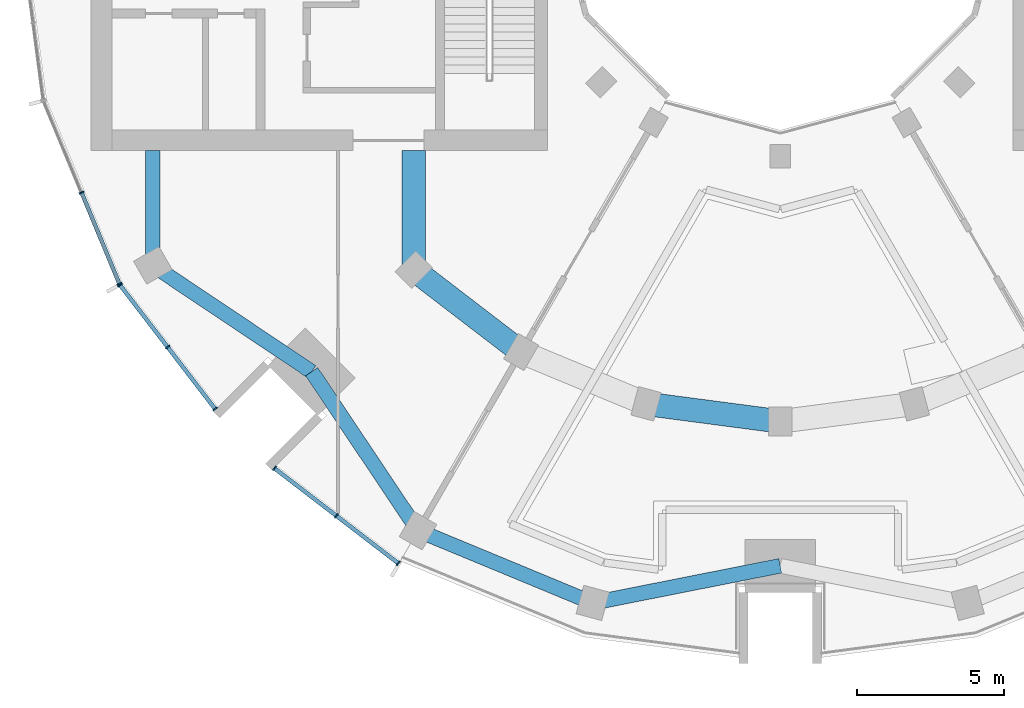
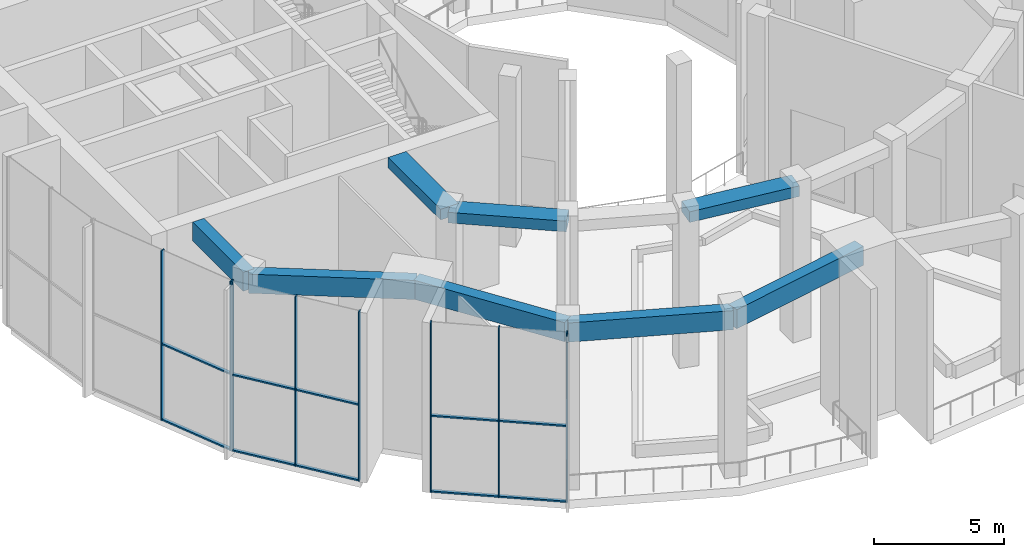
# One storey, part 2 of 18: 18 members, 8 beams, 3 elements without a shape of their own.
"""IFC4 building model written with IfcOpenShell, lengths in metres."""

import ifcopenshell
import ifcopenshell.guid

model = None  # the IFC model being written
_history = None  # IfcOwnerHistory: only IFC2X3 demands one
_inside = {}  # id of a spatial element -> (the spatial element, [elements in it])
_under = {}  # id of a project, library or spatial element -> (it, [spatial elements below it])
_declared = {}  # id of a project -> (the project, [libraries it declares])
_typed = {}  # id of a type object -> (the type object, [elements of that type])
_made_of = {}  # id of a material, layer set ... -> (it, [elements and type objects made of it])


def new_model(schema):
    """Start an empty IFC model of exactly this schema.

    Asked for "IFC4X3", IfcOpenShell would pick the latest addendum, in which some entities
    have other attributes; the version numbers below select the first issue.
    IFC2X3 requires an IfcOwnerHistory on every rooted entity: one is made here for all.
    """
    global model, _history
    if schema == "IFC4X3":
        model = ifcopenshell.file(schema_version=(4, 3, 0, 0))
    else:
        model = ifcopenshell.file(schema=schema)
    _inside.clear()
    _under.clear()
    _declared.clear()
    _typed.clear()
    _made_of.clear()
    _history = None
    if model.schema == "IFC2X3":
        org = make("IfcOrganization", Name="unknown")
        user = make(
            "IfcPersonAndOrganization",
            ThePerson=make("IfcPerson", FamilyName="unknown"),
            TheOrganization=org,
        )
        app = make(
            "IfcApplication",
            ApplicationDeveloper=org,
            Version="unknown",
            ApplicationFullName="unknown",
            ApplicationIdentifier="unknown",
        )
        _history = make(
            "IfcOwnerHistory",
            OwningUser=user,
            OwningApplication=app,
            ChangeAction="ADDED",
            CreationDate=0,
        )
    return model


def make(cls, **values):
    """One entity of the class cls with the attributes given. An attribute that is None is left unset."""
    return model.create_entity(
        cls, **{name: value for name, value in values.items() if value is not None}
    )


def rooted(cls, **values):
    """An entity with a GlobalId (a new one), such as an element, a storey or a relation."""
    return make(cls, GlobalId=ifcopenshell.guid.new(), OwnerHistory=_history, **values)


def si_unit(unit_type, name, prefix=None):
    """IfcSIUnit, for example si_unit("LENGTHUNIT", "METRE", prefix="MILLI")."""
    return make("IfcSIUnit", UnitType=unit_type, Prefix=prefix, Name=name)


def assignment(units):
    """IfcUnitAssignment: the units of a project."""
    return None if units is None else make("IfcUnitAssignment", Units=units)


def point(xyz):
    """IfcCartesianPoint."""
    return None if xyz is None else make("IfcCartesianPoint", Coordinates=xyz)


def direction(xyz):
    """IfcDirection."""
    return None if xyz is None else make("IfcDirection", DirectionRatios=xyz)


def frame(location, z_axis=None, x_axis=None):
    """IfcAxis2Placement3D, a coordinate frame: its origin and axes. An axis left out is left unset."""
    return make(
        "IfcAxis2Placement3D",
        Location=point(location),
        Axis=direction(z_axis),
        RefDirection=direction(x_axis),
    )


def frame_2d(location, x_axis=None):
    """IfcAxis2Placement2D, a coordinate frame in the plane: its origin and x axis."""
    return make(
        "IfcAxis2Placement2D", Location=point(location), RefDirection=direction(x_axis)
    )


def origin():
    """The frame at (0, 0, 0) with its axes left unset."""
    return frame((0.0, 0.0, 0.0))


def origin_2d():
    """The frame at (0, 0) in the plane with its x axis left unset."""
    return frame_2d((0.0, 0.0))


def place(relative_to, where):
    """IfcLocalPlacement: puts the frame where relative to a parent placement (None: the world)."""
    return make(
        "IfcLocalPlacement", PlacementRelTo=relative_to, RelativePlacement=where
    )


def context(
    kind, dimensions, precision=None, world=None, true_north=None, identifier=None
):
    """IfcGeometricRepresentationContext, for example the 3D "Model" context."""
    return make(
        "IfcGeometricRepresentationContext",
        ContextIdentifier=identifier,
        ContextType=kind,
        CoordinateSpaceDimension=dimensions,
        Precision=precision,
        WorldCoordinateSystem=world,
        TrueNorth=true_north,
    )


def subcontext(parent, identifier, kind, view, scale=None):
    """IfcGeometricRepresentationSubContext, for example "Body" below "Model"."""
    return make(
        "IfcGeometricRepresentationSubContext",
        ContextIdentifier=identifier,
        ContextType=kind,
        ParentContext=parent,
        TargetScale=scale,
        TargetView=view,
    )


def project(units=None, contexts=None):
    """IfcProject with its units and contexts."""
    return rooted(
        "IfcProject",
        Name="project",
        RepresentationContexts=contexts,
        UnitsInContext=assignment(units),
    )


def spatial(cls, under=None, at=None, **own):
    """A site, building, storey or space (cls), placed at a placement, below another one or the project."""
    s = rooted(cls, ObjectPlacement=at, **own)
    if under is not None:
        _under.setdefault(under.id(), (under, []))[1].append(s)
    return s


def profile(cls, at=None, kind="AREA", **sizes):
    """A parametric profile (cls). Its sizes go by their IFC names, for example OverallWidth=200.0."""
    return make(cls, ProfileType=kind, Position=at, **sizes)


def rectangle(**sizes):
    """IfcRectangleProfileDef."""
    return profile("IfcRectangleProfileDef", **sizes)


def extrude(swept, where, along, depth):
    """IfcExtrudedAreaSolid: the profile swept, set in the frame where, extruded along a direction by depth."""
    return make(
        "IfcExtrudedAreaSolid",
        SweptArea=swept,
        Position=where,
        ExtrudedDirection=direction(along),
        Depth=depth,
    )


def shape(context_of_items, identifier, shape_type, items):
    """IfcShapeRepresentation: the items that make up one representation, for example the "Body"."""
    return make(
        "IfcShapeRepresentation",
        ContextOfItems=context_of_items,
        RepresentationIdentifier=identifier,
        RepresentationType=shape_type,
        Items=items,
    )


def material(Name=None, Category=None):
    """IfcMaterial."""
    return make("IfcMaterial", Name=Name, Category=Category)


def layer(
    of_material, thickness, ventilated=None, Name=None, Category=None, Priority=None
):
    """IfcMaterialLayer: one layer of a wall or slab, of a material (None: an air gap)."""
    return make(
        "IfcMaterialLayer",
        Material=of_material,
        LayerThickness=thickness,
        IsVentilated=ventilated,
        Name=Name,
        Category=Category,
        Priority=Priority,
    )


def layer_set(layers, Name=None):
    """IfcMaterialLayerSet."""
    return make("IfcMaterialLayerSet", MaterialLayers=layers, LayerSetName=Name)


def material_profile(
    of_material, cross_section, Name=None, Category=None, Priority=None
):
    """IfcMaterialProfile: a cross section and its material."""
    return make(
        "IfcMaterialProfile",
        Name=Name,
        Material=of_material,
        Profile=cross_section,
        Priority=Priority,
        Category=Category,
    )


def profile_set(profiles, Name=None, composite=None):
    """IfcMaterialProfileSet."""
    return make(
        "IfcMaterialProfileSet",
        Name=Name,
        MaterialProfiles=profiles,
        CompositeProfile=composite,
    )


def made_of(thing, what):
    """Note that an element or type object is made of a material, layer set ...; save() writes the relation."""
    if what is not None:
        _made_of.setdefault(what.id(), (what, []))[1].append(thing)
    return thing


def type_object(cls, material=None, **own):
    """A type object (cls), such as IfcWallType, which elements share."""
    return made_of(rooted(cls, **own), material)


def element(
    cls,
    number,
    at=None,
    inside=None,
    cuts=None,
    type_object=None,
    material=None,
    context=None,
    identifier="Body",
    shape_type=None,
    held_by="IfcProductDefinitionShape",
    body=None,
    shapes=None,
    **own,
):
    """One element of the class cls, such as IfcWall. Its Tag is "e" and its number.

    at: its placement. inside: the storey or other place that contains it. cuts: it is an
    opening in that element (IfcRelVoidsElement). A single representation is given by context,
    identifier, shape_type and body (its items); several are given by shapes. held_by: the class
    of the entity that holds the representations. save() writes the other relations.
    """
    e = rooted(cls, Tag="e%d" % number, ObjectPlacement=at, **own)
    if body is not None:
        shapes = [shape(context, identifier, shape_type, body)]
    if shapes is not None:
        e.Representation = make(held_by, Representations=shapes)
    if inside is not None:
        _inside.setdefault(inside.id(), (inside, []))[1].append(e)
    if cuts is not None:
        rooted(
            "IfcRelVoidsElement", RelatingBuildingElement=cuts, RelatedOpeningElement=e
        )
    if type_object is not None:
        _typed.setdefault(type_object.id(), (type_object, []))[1].append(e)
    return made_of(e, material)


def aggregate(whole, parts):
    """IfcRelAggregates: a whole, such as a stair, and the parts it consists of."""
    return rooted("IfcRelAggregates", RelatingObject=whole, RelatedObjects=parts)


def save(model, path):
    """Write the relations noted so far, then the file.

    IfcRelAggregates (storeys below a building ...), IfcRelContainedInSpatialStructure (elements
    in a storey), IfcRelDefinesByType, IfcRelAssociatesMaterial and IfcRelDeclares: one each for
    every whole, place, type object, material and project.
    """
    for whole, parts in _under.values():
        aggregate(whole, parts)
    for where, things in _inside.values():
        rooted(
            "IfcRelContainedInSpatialStructure",
            RelatedElements=things,
            RelatingStructure=where,
        )
    for kind, things in _typed.values():
        rooted("IfcRelDefinesByType", RelatedObjects=things, RelatingType=kind)
    for what, things in _made_of.values():
        rooted("IfcRelAssociatesMaterial", RelatedObjects=things, RelatingMaterial=what)
    for by, libraries in _declared.values():
        rooted("IfcRelDeclares", RelatingContext=by, RelatedDefinitions=libraries)
    model.write(path)


model = new_model("IFC4")

# Units and contexts
model_context = context("Model", 3, precision=1e-05, world=origin(), true_north=direction((0.0, 1.0)))
body_context = subcontext(model_context, "Body", "Model", "MODEL_VIEW")
ifc_project = project(units=[si_unit("LENGTHUNIT", "METRE"), si_unit("AREAUNIT", "SQUARE_METRE"), si_unit("VOLUMEUNIT", "CUBIC_METRE"), si_unit("PLANEANGLEUNIT", "RADIAN"), si_unit("MASSUNIT", "GRAM", prefix="KILO")], contexts=[model_context])

# Site, building, storey
site_placement = place(None, origin())
site = spatial("IfcSite", under=ifc_project, at=site_placement, CompositionType="ELEMENT")
building_placement = place(site_placement, origin())
building = spatial("IfcBuilding", under=site, at=building_placement, Name="Torre Brocal", CompositionType="ELEMENT")
storey_placement = place(building_placement, frame((0.0, 0.0, 149.699951171875)))
storey = spatial("IfcBuildingStorey", under=building, at=storey_placement, Name="L35", CompositionType="ELEMENT", Elevation=149.699951171875)

# Curtain wall, members
ifc_material_1 = material(Name="Aluminium and glass", Category="aluminium")
ifc_layer = layer(ifc_material_1, 0.199951171875)
ifc_layer_set = layer_set([ifc_layer], Name="Aluminium and glass")
curtain_wall_type = type_object("IfcCurtainWallType", Name="CW-4 CURTAIN WALL 8000 HIGH", PredefinedType="NOTDEFINED", material=ifc_layer_set)
curtain_wall_1_placement = place(storey_placement, origin())
curtain_wall_1 = element("IfcCurtainWall", 1, at=curtain_wall_1_placement, inside=storey, type_object=curtain_wall_type, Name="CW-4 RUN 14", PredefinedType="NOTDEFINED")
ifc_material_2 = material(Name="Aluminium, dark anodised", Category="aluminium")
ifc_material_profile_1 = material_profile(ifc_material_2, rectangle(XDim=0.179931640625, YDim=0.050048828125, at=origin_2d()), Name="CW-4 MULLION 50X180")
ifc_profile_set_1 = profile_set([ifc_material_profile_1], Name="Aluminium, dark anodised")
member_type_1 = type_object("IfcMemberType", Name="CW-4 MULLION 50X180", PredefinedType="MULLION", material=ifc_profile_set_1)
member_1_placement = place(storey_placement, frame((56.277099609375, 65.173583984375, 0.0), z_axis=(0.0, 0.0, 1.0), x_axis=(0.923879532525, 0.382683432333, 0.0)))
member_1 = element("IfcMember", 2, at=member_1_placement, type_object=member_type_1, Name="CW4-1 mullion 2", PredefinedType="MULLION", context=body_context, shape_type="SweptSolid", body=[
    extrude(rectangle(XDim=0.179931640625, YDim=0.050048828125, at=origin_2d()), origin(), (0.0, 0.0, 1.0), 8.0),
])
member_2_placement = place(storey_placement, frame((57.56103515625, 62.073486328125, 0.0), z_axis=(0.0, 0.0, 1.0), x_axis=(0.923879532525, 0.382683432333, 0.0)))
member_2 = element("IfcMember", 3, at=member_2_placement, type_object=member_type_1, Name="CW4-1 mullion 3", PredefinedType="MULLION", context=body_context, shape_type="SweptSolid", body=[
    extrude(rectangle(XDim=0.179931640625, YDim=0.050048828125, at=origin_2d()), origin(), (0.0, 0.0, 1.0), 8.0),
])

curtain_wall_2_placement = place(storey_placement, origin())
curtain_wall_2 = element("IfcCurtainWall", 4, at=curtain_wall_2_placement, inside=storey, type_object=curtain_wall_type, Name="CW-4 RUN 15", PredefinedType="NOTDEFINED")
member_3_placement = place(storey_placement, frame((57.5859375, 62.030517578125, 0.0), z_axis=(0.0, 0.0, 1.0), x_axis=(0.793353340259, 0.60876142905, 0.0)))
member_3 = element("IfcMember", 5, at=member_3_placement, type_object=member_type_1, Name="CW4-1 mullion 1", PredefinedType="MULLION", context=body_context, shape_type="SweptSolid", body=[
    extrude(rectangle(XDim=0.179931640625, YDim=0.050048828125, at=origin_2d()), origin(), (0.0, 0.0, 1.0), 8.0),
])
member_4_placement = place(storey_placement, frame((59.19873046875, 59.9287109375, 0.0), z_axis=(0.0, 0.0, 1.0), x_axis=(0.793353340259, 0.60876142905, 0.0)))
member_4 = element("IfcMember", 6, at=member_4_placement, type_object=member_type_1, Name="CW4-1 mullion 2", PredefinedType="MULLION", context=body_context, shape_type="SweptSolid", body=[
    extrude(rectangle(XDim=0.179931640625, YDim=0.050048828125, at=origin_2d()), origin(), (0.0, 0.0, 1.0), 8.0),
])
member_5_placement = place(storey_placement, frame((60.811767578125, 57.82666015625, 0.0), z_axis=(0.0, 0.0, 1.0), x_axis=(0.793353340259, 0.60876142905, 0.0)))
member_5 = element("IfcMember", 7, at=member_5_placement, type_object=member_type_1, Name="CW4-1 mullion 3", PredefinedType="MULLION", context=body_context, shape_type="SweptSolid", body=[
    extrude(rectangle(XDim=0.179931640625, YDim=0.050048828125, at=origin_2d()), origin(), (0.0, 0.0, 1.0), 8.0),
])

curtain_wall_3_placement = place(storey_placement, origin())
curtain_wall_3 = element("IfcCurtainWall", 8, at=curtain_wall_3_placement, inside=storey, type_object=curtain_wall_type, Name="CW-4 RUN 16", PredefinedType="NOTDEFINED")
member_6_placement = place(storey_placement, frame((62.82666015625, 55.811767578125, 0.0), z_axis=(0.0, 0.0, 1.0), x_axis=(0.60876142905, 0.793353340259, 0.0)))
member_6 = element("IfcMember", 9, at=member_6_placement, type_object=member_type_1, Name="CW4-1 mullion 1", PredefinedType="MULLION", context=body_context, shape_type="SweptSolid", body=[
    extrude(rectangle(XDim=0.179931640625, YDim=0.050048828125, at=origin_2d()), origin(), (0.0, 0.0, 1.0), 8.0),
])
member_7_placement = place(storey_placement, frame((64.9287109375, 54.19873046875, 0.0), z_axis=(0.0, 0.0, 1.0), x_axis=(0.60876142905, 0.793353340259, 0.0)))
member_7 = element("IfcMember", 10, at=member_7_placement, type_object=member_type_1, Name="CW4-1 mullion 2", PredefinedType="MULLION", context=body_context, shape_type="SweptSolid", body=[
    extrude(rectangle(XDim=0.179931640625, YDim=0.050048828125, at=origin_2d()), origin(), (0.0, 0.0, 1.0), 8.0),
])
member_8_placement = place(storey_placement, frame((67.030517578125, 52.5859375, 0.0), z_axis=(0.0, 0.0, 1.0), x_axis=(0.60876142905, 0.793353340259, 0.0)))
member_8 = element("IfcMember", 11, at=member_8_placement, type_object=member_type_1, Name="CW4-1 mullion 3", PredefinedType="MULLION", context=body_context, shape_type="SweptSolid", body=[
    extrude(rectangle(XDim=0.179931640625, YDim=0.050048828125, at=origin_2d()), origin(), (0.0, 0.0, 1.0), 8.0),
])

# Member
ifc_material_3 = material(Name="Aluminium, dark anodised", Category="aluminium")
ifc_material_profile_2 = material_profile(ifc_material_3, rectangle(XDim=0.139892578125, YDim=0.070068359375, at=origin_2d()), Name="CW-4 TRANSOM 140X70")
ifc_profile_set_2 = profile_set([ifc_material_profile_2], Name="Aluminium, dark anodised")
member_type_2 = type_object("IfcMemberType", Name="CW-4 TRANSOM 140X70", PredefinedType="USERDEFINED", material=ifc_profile_set_2)
member_9_placement = place(storey_placement, frame((56.28662109375, 65.150634765625, 0.03515625), z_axis=(0.382658376168, -0.92388991073, 0.0), x_axis=(0.92388991073, 0.382658376168, 0.0)))
member_9 = element("IfcMember", 12, at=member_9_placement, type_object=member_type_2, Name="CW4-1 transom 2.1", ObjectType="TRANSOM", PredefinedType="USERDEFINED", context=body_context, shape_type="SweptSolid", body=[
    extrude(rectangle(XDim=0.139892578125, YDim=0.070068359375, at=origin_2d()), origin(), (0.0, 0.0, 1.0), 3.305419921875),
])

member_10_placement = place(storey_placement, frame((56.28662109375, 65.150634765625, 3.60009765625), z_axis=(0.382658376168, -0.92388991073, 0.0), x_axis=(0.92388991073, 0.382658376168, 0.0)))
member_10 = element("IfcMember", 13, at=member_10_placement, type_object=member_type_2, Name="CW4-1 transom 2.2", ObjectType="TRANSOM", PredefinedType="USERDEFINED", context=body_context, shape_type="SweptSolid", body=[
    extrude(rectangle(XDim=0.139892578125, YDim=0.070068359375, at=origin_2d()), origin(), (0.0, 0.0, 1.0), 3.305419921875),
])

aggregate(curtain_wall_1, [member_1, member_2, member_9, member_10])

member_11_placement = place(storey_placement, frame((57.60107421875, 62.0107421875, 0.03515625), z_axis=(0.608784419977, -0.793335698171, 0.0), x_axis=(0.793335698171, 0.608784419977, 0.0)))
member_11 = element("IfcMember", 14, at=member_11_placement, type_object=member_type_2, Name="CW4-1 transom 1.1", ObjectType="TRANSOM", PredefinedType="USERDEFINED", context=body_context, shape_type="SweptSolid", body=[
    extrude(rectangle(XDim=0.139892578125, YDim=0.070068359375, at=origin_2d()), origin(), (0.0, 0.0, 1.0), 2.599365234375),
])

member_12_placement = place(storey_placement, frame((57.60107421875, 62.0107421875, 3.60009765625), z_axis=(0.608784419977, -0.793335698171, 0.0), x_axis=(0.793335698171, 0.608784419977, 0.0)))
member_12 = element("IfcMember", 15, at=member_12_placement, type_object=member_type_2, Name="CW4-1 transom 1.2", ObjectType="TRANSOM", PredefinedType="USERDEFINED", context=body_context, shape_type="SweptSolid", body=[
    extrude(rectangle(XDim=0.139892578125, YDim=0.070068359375, at=origin_2d()), origin(), (0.0, 0.0, 1.0), 2.599365234375),
])

member_13_placement = place(storey_placement, frame((59.214111328125, 59.90869140625, 0.03515625), z_axis=(0.608725303881, -0.79338105877, 0.0), x_axis=(0.79338105877, 0.608725303881, 0.0)))
member_13 = element("IfcMember", 16, at=member_13_placement, type_object=member_type_2, Name="CW4-1 transom 2.1", ObjectType="TRANSOM", PredefinedType="USERDEFINED", context=body_context, shape_type="SweptSolid", body=[
    extrude(rectangle(XDim=0.139892578125, YDim=0.070068359375, at=origin_2d()), origin(), (0.0, 0.0, 1.0), 2.599365234375),
])

member_14_placement = place(storey_placement, frame((59.214111328125, 59.90869140625, 3.60009765625), z_axis=(0.608725303881, -0.79338105877, 0.0), x_axis=(0.79338105877, 0.608725303881, 0.0)))
member_14 = element("IfcMember", 17, at=member_14_placement, type_object=member_type_2, Name="CW4-1 transom 2.2", ObjectType="TRANSOM", PredefinedType="USERDEFINED", context=body_context, shape_type="SweptSolid", body=[
    extrude(rectangle(XDim=0.139892578125, YDim=0.070068359375, at=origin_2d()), origin(), (0.0, 0.0, 1.0), 2.599365234375),
])

aggregate(curtain_wall_2, [member_3, member_4, member_5, member_11, member_12, member_13, member_14])

member_15_placement = place(storey_placement, frame((62.846435546875, 55.79638671875, 0.03515625), z_axis=(0.79338105877, -0.608725303881, 0.0), x_axis=(0.608725303881, 0.79338105877, 0.0)))
member_15 = element("IfcMember", 18, at=member_15_placement, type_object=member_type_2, Name="CW4-1 transom 1.1", ObjectType="TRANSOM", PredefinedType="USERDEFINED", context=body_context, shape_type="SweptSolid", body=[
    extrude(rectangle(XDim=0.139892578125, YDim=0.070068359375, at=origin_2d()), origin(), (0.0, 0.0, 1.0), 2.599365234375),
])

member_16_placement = place(storey_placement, frame((62.846435546875, 55.79638671875, 3.60009765625), z_axis=(0.79338105877, -0.608725303881, 0.0), x_axis=(0.608725303881, 0.79338105877, 0.0)))
member_16 = element("IfcMember", 19, at=member_16_placement, type_object=member_type_2, Name="CW4-1 transom 1.2", ObjectType="TRANSOM", PredefinedType="USERDEFINED", context=body_context, shape_type="SweptSolid", body=[
    extrude(rectangle(XDim=0.139892578125, YDim=0.070068359375, at=origin_2d()), origin(), (0.0, 0.0, 1.0), 2.599365234375),
])

member_17_placement = place(storey_placement, frame((64.948486328125, 54.18359375, 0.03515625), z_axis=(0.793335698171, -0.608784419977, 0.0), x_axis=(0.608784419977, 0.793335698171, 0.0)))
member_17 = element("IfcMember", 20, at=member_17_placement, type_object=member_type_2, Name="CW4-1 transom 2.1", ObjectType="TRANSOM", PredefinedType="USERDEFINED", context=body_context, shape_type="SweptSolid", body=[
    extrude(rectangle(XDim=0.139892578125, YDim=0.070068359375, at=origin_2d()), origin(), (0.0, 0.0, 1.0), 2.599365234375),
])

member_18_placement = place(storey_placement, frame((64.948486328125, 54.18359375, 3.60009765625), z_axis=(0.793335698171, -0.608784419977, 0.0), x_axis=(0.608784419977, 0.793335698171, 0.0)))
member_18 = element("IfcMember", 21, at=member_18_placement, type_object=member_type_2, Name="CW4-1 transom 2.2", ObjectType="TRANSOM", PredefinedType="USERDEFINED", context=body_context, shape_type="SweptSolid", body=[
    extrude(rectangle(XDim=0.139892578125, YDim=0.070068359375, at=origin_2d()), origin(), (0.0, 0.0, 1.0), 2.599365234375),
])

aggregate(curtain_wall_3, [member_6, member_7, member_8, member_15, member_16, member_17, member_18])

# Beams
ifc_material_4 = material(Name="Concrete C50", Category="concrete")
ifc_material_profile_3 = material_profile(ifc_material_4, rectangle(XDim=0.800048828125, YDim=0.5, at=origin_2d()), Name="RC 800X500")
ifc_profile_set_3 = profile_set([ifc_material_profile_3], Name="Concrete C50")
beam_type_1 = type_object("IfcBeamType", Name="RC BEAM 800X500 C50 TOP 7680", PredefinedType="BEAM", material=ifc_profile_set_3)
beam_1_placement = place(storey_placement, frame((67.554931640625, 62.554931640625, 7.429931640625), z_axis=(0.0, 1.0, 0.0), x_axis=(-1.0, 0.0, 0.0)))
element("IfcBeam", 22, at=beam_1_placement, inside=storey, type_object=beam_type_1, Name="Beam BT-23", PredefinedType="BEAM", context=body_context, shape_type="SweptSolid", body=[
    extrude(rectangle(XDim=0.800048828125, YDim=0.5, at=origin_2d()), origin(), (0.0, 0.0, 1.0), 4.045166015625),
])
for number, where, z_axis, x_axis, name in (
    (23, (67.554931640625, 62.554931640625, 7.429931640625), (0.793358265959, -0.6087550097, 0.0), (0.6087550097, 0.793358265959, 0.0), "Beam BT-23"),
    (24, (75.44482421875, 57.999755859375, 7.429931640625), (0.991440544449, -0.130558978332, 0.0), (0.130558978332, 0.991440544449, 0.0), "Beam BT-23"),
):
    element("IfcBeam", number, at=place(storey_placement, frame(where, z_axis=z_axis, x_axis=x_axis)), inside=storey, type_object=beam_type_1, Name=name, PredefinedType="BEAM", context=body_context, shape_type="SweptSolid", body=[
        extrude(rectangle(XDim=0.800048828125, YDim=0.5, at=origin_2d()), origin(), (0.0, 0.0, 1.0), 4.594482421875),
    ])
ifc_material_5 = material(Name="Concrete C50", Category="concrete")
ifc_material_profile_4 = material_profile(ifc_material_5, rectangle(XDim=0.5, YDim=0.89990234375, at=origin_2d()), Name="RC 500X900")
ifc_profile_set_4 = profile_set([ifc_material_profile_4], Name="Concrete C50")
beam_type_2 = type_object("IfcBeamType", Name="RC SPANDREL BEAM 500X900 C50 TOP 7680", PredefinedType="SPANDREL", material=ifc_profile_set_4)
beam_2_placement = place(storey_placement, frame((58.69580078125, 62.699951171875, 7.22998046875), z_axis=(0.0, 1.0, 0.0), x_axis=(-1.0, 0.0, 0.0)))
element("IfcBeam", 25, at=beam_2_placement, inside=storey, type_object=beam_type_2, Name="Beam BT-24", PredefinedType="SPANDREL", context=body_context, shape_type="SweptSolid", body=[
    extrude(rectangle(XDim=0.5, YDim=0.89990234375, at=origin_2d()), origin(), (0.0, 0.0, 1.0), 3.900146484375),
])
for number, where, z_axis, x_axis, name in (
    (26, (58.69580078125, 62.699951171875, 7.22998046875), (0.831076844476, -0.556157602282, 0.0), (0.556157602282, 0.831076844476, 0.0), "Beam BT-24"),
    (27, (64.090087890625, 59.090087890625, 7.22998046875), (0.556157602282, -0.831076844476, 0.0), (0.831076844476, 0.556157602282, 0.0), "Beam BT-24"),
):
    element("IfcBeam", number, at=place(storey_placement, frame(where, z_axis=z_axis, x_axis=x_axis)), inside=storey, type_object=beam_type_2, Name=name, PredefinedType="SPANDREL", context=body_context, shape_type="SweptSolid", body=[
        extrude(rectangle(XDim=0.5, YDim=0.89990234375, at=origin_2d()), origin(), (0.0, 0.0, 1.0), 6.49072265625),
    ])
beam_3_placement = place(storey_placement, frame((67.699951171875, 53.69580078125, 7.22998046875), z_axis=(0.923882462513, -0.382676358639, 0.0), x_axis=(0.382676358639, 0.923882462513, 0.0)))
element("IfcBeam", 28, at=beam_3_placement, inside=storey, type_object=beam_type_2, Name="Beam BT-24", PredefinedType="SPANDREL", context=body_context, shape_type="SweptSolid", body=[
    extrude(rectangle(XDim=0.5, YDim=0.89990234375, at=origin_2d()), origin(), (0.0, 0.0, 1.0), 6.421875),
])
beam_4_placement = place(storey_placement, frame((73.633056640625, 51.23828125, 7.22998046875), z_axis=(0.980924907484, 0.194387051723, 0.0), x_axis=(-0.194387051723, 0.980924907484, 0.0)))
element("IfcBeam", 29, at=beam_4_placement, inside=storey, type_object=beam_type_2, Name="Beam BT-24", PredefinedType="SPANDREL", context=body_context, shape_type="SweptSolid", body=[
    extrude(rectangle(XDim=0.5, YDim=0.89990234375, at=origin_2d()), origin(), (0.0, 0.0, 1.0), 6.49072265625),
])

save(model, "model.ifc")
